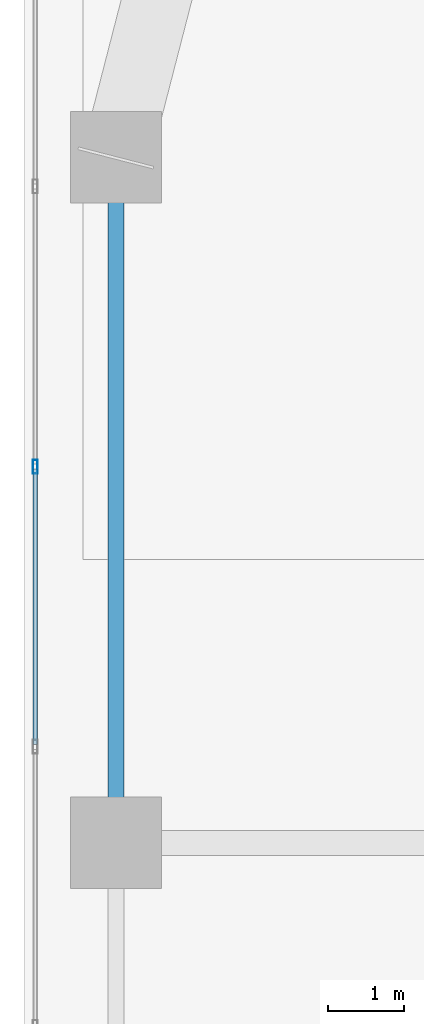
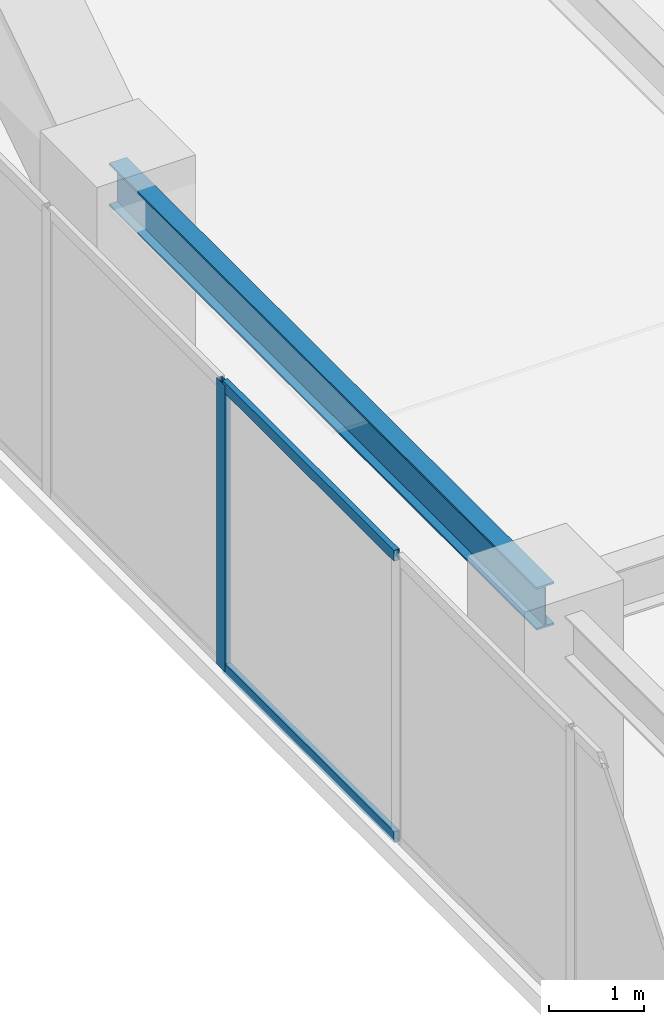
# One storey, part 7 of 30: 3 members, 1 beam, 1 element without a shape of its own.
"""IFC4 building model written with IfcOpenShell, lengths in metres."""

from ifc_helpers import new_model, si_unit, direction, frame, origin, origin_2d, place, context, subcontext, project, spatial, hollow_rectangle, i_section, extrude, material, layer, layer_set, material_profile, profile_set, type_object, element, aggregate, save


model = new_model("IFC4")

# Units and contexts
model_context = context("Model", 3, precision=1e-05, world=origin(), true_north=direction((0.0, 1.0)))
body_context = subcontext(model_context, "Body", "Model", "MODEL_VIEW")
ifc_project = project(units=[si_unit("LENGTHUNIT", "METRE"), si_unit("AREAUNIT", "SQUARE_METRE"), si_unit("VOLUMEUNIT", "CUBIC_METRE"), si_unit("PLANEANGLEUNIT", "RADIAN"), si_unit("MASSUNIT", "GRAM", prefix="KILO")], contexts=[model_context])

# Site, building, storey
site_placement = place(None, origin())
site = spatial("IfcSite", under=ifc_project, at=site_placement, CompositionType="ELEMENT")
building_placement = place(site_placement, origin())
building = spatial("IfcBuilding", under=site, at=building_placement, Name="Kiyonajd Concourse Tower", CompositionType="ELEMENT")
storey_placement = place(building_placement, frame((0.0, 0.0, 194.10009765625)))
storey = spatial("IfcBuildingStorey", under=building, at=storey_placement, Name="L49", CompositionType="ELEMENT", Elevation=194.10009765625)

# Beam
ifc_material_1 = material(Name="Steel ASTM A992 Grade 50", Category="steel")
ifc_material_profile_1 = material_profile(ifc_material_1, i_section(OverallWidth=0.214111328125, OverallDepth=0.549072265625, WebThickness=0.0146484375, FlangeThickness=0.023681640625, at=origin_2d()), Name="W530X138")
ifc_profile_set_1 = profile_set([ifc_material_profile_1], Name="Steel ASTM A992 Grade 50")
beam_type = type_object("IfcBeamType", Name="BM-SPAN-530A", PredefinedType="SPANDREL", material=ifc_profile_set_1)
beam_placement = place(storey_placement, frame((19.199951171875, 53.39990234375, 3.405517578125), z_axis=(0.0, -1.0, 0.0), x_axis=(1.0, 0.0, 0.0)))
element("IfcBeam", 1, at=beam_placement, inside=storey, type_object=beam_type, Name="L49 Perimeter Bundled Tube Spandrel", PredefinedType="SPANDREL", context=body_context, shape_type="SweptSolid", body=[
    extrude(i_section(OverallWidth=0.214111328125, OverallDepth=0.549072265625, WebThickness=0.0146484375, FlangeThickness=0.023681640625, at=origin_2d()), origin(), (0.0, 0.0, 1.0), 9.0),
])

# Curtain wall, members
ifc_material_2 = material(Name="Thermally Broken Anodised Aluminium", Category="aluminium")
ifc_layer = layer(ifc_material_2, 0.179931640625)
ifc_layer_set = layer_set([ifc_layer], Name="Thermally Broken Anodised Aluminium")
curtain_wall_type = type_object("IfcCurtainWallType", Name="CW-SYS-03", PredefinedType="NOTDEFINED", material=ifc_layer_set)
curtain_wall_placement = place(storey_placement, origin())
curtain_wall = element("IfcCurtainWall", 2, at=curtain_wall_placement, inside=storey, type_object=curtain_wall_type, Name="L49 Unitised Curtain Wall CW3", PredefinedType="NOTDEFINED")
ifc_material_profile_2 = material_profile(ifc_material_2, hollow_rectangle(XDim=0.06494140625, YDim=0.179931640625, WallThickness=0.00390625, at=origin_2d()), Name="MULL-65x180")
ifc_profile_set_2 = profile_set([ifc_material_profile_2], Name="Thermally Broken Anodised Aluminium")
member_type_1 = type_object("IfcMemberType", Name="MB-CW-MULL1", PredefinedType="MULLION", material=ifc_profile_set_2)
member_1_placement = place(storey_placement, frame((18.139892578125, 49.337646484375, 0.0), z_axis=(0.0, 0.0, 1.0), x_axis=(-1.0, 0.0, 0.0)))
member_1 = element("IfcMember", 3, at=member_1_placement, type_object=member_type_1, Name="CW3 mullion 5", PredefinedType="MULLION", context=body_context, shape_type="SweptSolid", body=[
    extrude(hollow_rectangle(XDim=0.06494140625, YDim=0.179931640625, WallThickness=0.00390625, at=origin_2d()), origin(), (0.0, 0.0, 1.0), 3.679931640625),
])
ifc_material_profile_3 = material_profile(ifc_material_2, hollow_rectangle(XDim=0.06494140625, YDim=0.139892578125, WallThickness=0.00390625, at=origin_2d()), Name="TRAN-65x140")
ifc_profile_set_3 = profile_set([ifc_material_profile_3], Name="Thermally Broken Anodised Aluminium")
member_type_2 = type_object("IfcMemberType", Name="MB-CW-TRAN1", PredefinedType="USERDEFINED", material=ifc_profile_set_3)
member_2_placement = place(storey_placement, frame((18.139892578125, 45.693359375, 0.032470703125), z_axis=(0.0, 1.0, 0.0), x_axis=(-1.0, 0.0, 0.0)))
member_2 = element("IfcMember", 4, at=member_2_placement, type_object=member_type_2, Name="CW3 transom 4.1", ObjectType="TRANSOM", PredefinedType="USERDEFINED", context=body_context, shape_type="SweptSolid", body=[
    extrude(hollow_rectangle(XDim=0.06494140625, YDim=0.139892578125, WallThickness=0.00390625, at=origin_2d()), origin(), (0.0, 0.0, 1.0), 3.61181640625),
])
member_3_placement = place(storey_placement, frame((18.139892578125, 45.693359375, 3.6474609375), z_axis=(0.0, 1.0, 0.0), x_axis=(-1.0, 0.0, 0.0)))
member_3 = element("IfcMember", 5, at=member_3_placement, type_object=member_type_2, Name="CW3 transom 4.2", ObjectType="TRANSOM", PredefinedType="USERDEFINED", context=body_context, shape_type="SweptSolid", body=[
    extrude(hollow_rectangle(XDim=0.06494140625, YDim=0.139892578125, WallThickness=0.00390625, at=origin_2d()), origin(), (0.0, 0.0, 1.0), 3.61181640625),
])
aggregate(curtain_wall, [member_1, member_2, member_3])

save(model, "model.ifc")
